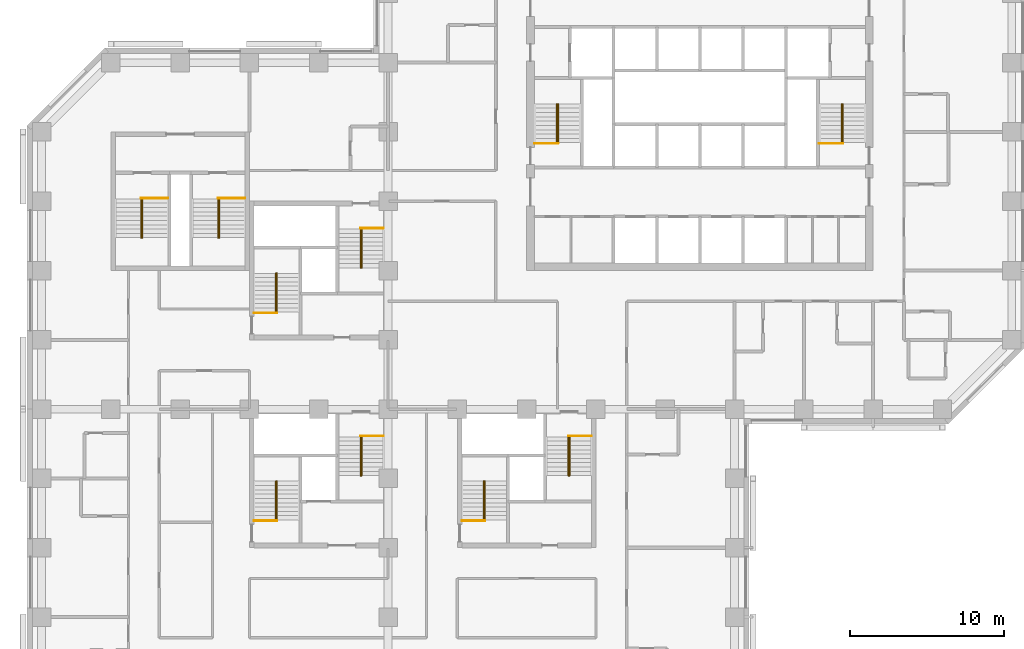
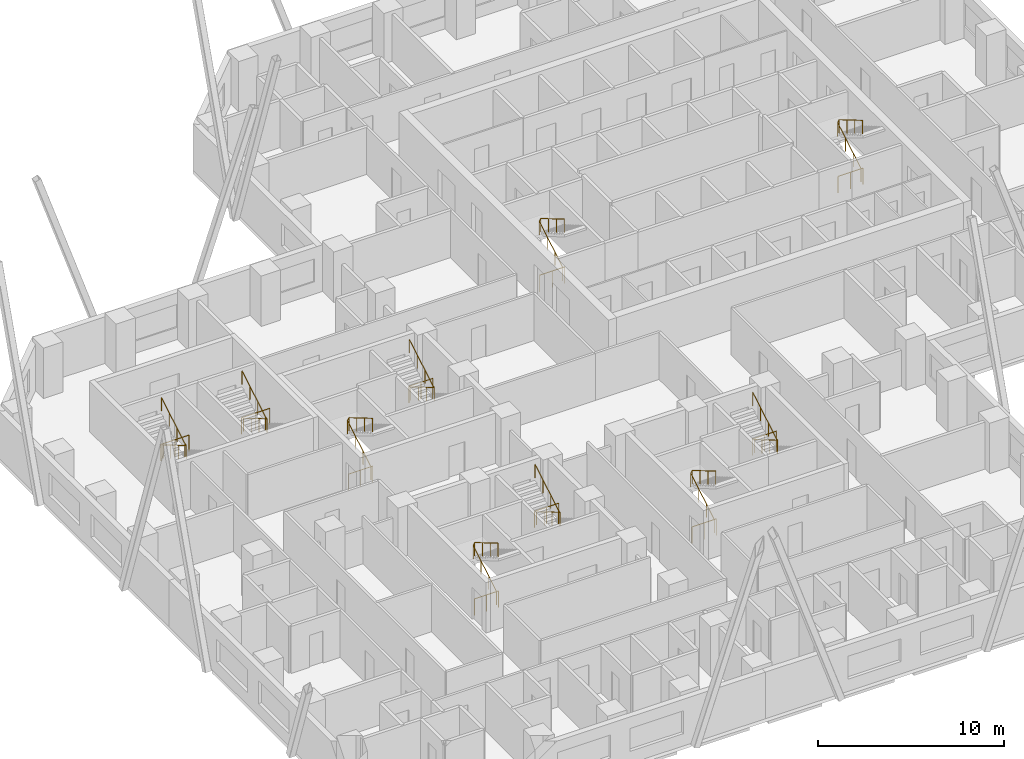
# One storey, part 13 of 13: 20 railings.
"""IFC4 building model written with IfcOpenShell, lengths in metres."""

from ifc_helpers import new_model, si_unit, direction, frame, origin, origin_2d, place, context, subcontext, project, spatial, circle, extrude, material, type_object, element, save


model = new_model("IFC4")

# Units and contexts
model_context = context("Model", 3, precision=1e-05, world=origin(), true_north=direction((0.0, 1.0)))
body_context = subcontext(model_context, "Body", "Model", "MODEL_VIEW")
ifc_project = project(units=[si_unit("LENGTHUNIT", "METRE"), si_unit("AREAUNIT", "SQUARE_METRE"), si_unit("VOLUMEUNIT", "CUBIC_METRE"), si_unit("PLANEANGLEUNIT", "RADIAN"), si_unit("MASSUNIT", "GRAM", prefix="KILO")], contexts=[model_context])

# Site, building, storey
site_placement = place(None, origin())
site = spatial("IfcSite", under=ifc_project, at=site_placement, CompositionType="ELEMENT")
building_placement = place(site_placement, origin())
building = spatial("IfcBuilding", under=site, at=building_placement, Name="Quoin Convention Tower", CompositionType="ELEMENT")
storey_placement = place(building_placement, frame((0.0, 0.0, 26.39990234375)))
storey = spatial("IfcBuildingStorey", under=building, at=storey_placement, Name="L05", CompositionType="ELEMENT", Elevation=26.39990234375)

# Railings
ifc_material = material(Name="Stainless steel", Category="steel")
railing_type_1 = type_object("IfcRailingType", Name="Stair handrail 900", PredefinedType="HANDRAIL", material=ifc_material)
for number, where, name in (
    (1, (46.955078125, 57.800048828125, 0.1650390625), "SD1 handrail 1"),
    (2, (65.455078125, 57.800048828125, 0.1650390625), "SD2 handrail 1"),
    (3, (28.705078125, 46.800048828125, 0.1650390625), "SD3 handrail 1"),
):
    element("IfcRailing", number, at=place(storey_placement, frame(where)), inside=storey, type_object=railing_type_1, Name=name, PredefinedType="HANDRAIL", context=body_context, shape_type="SweptSolid", body=[
        extrude(circle(Radius=0.02392578125, at=origin_2d()), frame((0.0, 0.0, 0.8759765625), z_axis=(0.0, 0.86152411907, 0.507716645641), x_axis=(-1.0, 0.0, 0.0)), (0.0, 0.0, 1.0), 2.925048828125),
        extrude(circle(Radius=0.02392578125, at=origin_2d()), frame((0.0, 2.52001953125, 2.36083984375), z_axis=(0.478123724308, 0.0, 0.878292493566), x_axis=(0.0, 1.0, 0.0)), (0.0, 0.0, 1.0), 0.18798828125),
        extrude(circle(Radius=0.02392578125, at=origin_2d()), frame((0.08984375, 2.52001953125, 2.52587890625), z_axis=(0.0, -0.861560626758, 0.507654692109), x_axis=(1.0, 0.0, 0.0)), (0.0, 0.0, 1.0), 2.925048828125),
        extrude(circle(Radius=0.02099609375, at=origin_2d()), origin(), (0.0, 0.0, 1.0), 0.851806640625),
        extrude(circle(Radius=0.02099609375, at=origin_2d()), frame((0.0, 0.840087890625, 0.4951171875)), (0.0, 0.0, 1.0), 0.851806640625),
        extrude(circle(Radius=0.02099609375, at=origin_2d()), frame((0.0, 1.679931640625, 0.989990234375)), (0.0, 0.0, 1.0), 0.851806640625),
        extrude(circle(Radius=0.02099609375, at=origin_2d()), frame((0.0, 2.52001953125, 1.485107421875)), (0.0, 0.0, 1.0), 0.851806640625),
        extrude(circle(Radius=0.02099609375, at=origin_2d()), frame((0.08984375, 2.52001953125, 1.650146484375)), (0.0, 0.0, 1.0), 0.851806640625),
        extrude(circle(Radius=0.02099609375, at=origin_2d()), frame((0.08984375, 1.679931640625, 2.14501953125)), (0.0, 0.0, 1.0), 0.851806640625),
        extrude(circle(Radius=0.02099609375, at=origin_2d()), frame((0.08984375, 0.840087890625, 2.64013671875)), (0.0, 0.0, 1.0), 0.851806640625),
        extrude(circle(Radius=0.02099609375, at=origin_2d()), frame((0.08984375, 0.0, 3.135009765625)), (0.0, 0.0, 1.0), 0.851806640625),
    ])
railing_1_placement = place(storey_placement, frame((34.294921875, 52.199951171875, 0.1650390625)))
element("IfcRailing", 4, at=railing_1_placement, inside=storey, type_object=railing_type_1, Name="SD4 handrail 1", PredefinedType="HANDRAIL", context=body_context, shape_type="SweptSolid", body=[
    extrude(circle(Radius=0.02392578125, at=origin_2d()), frame((0.0, 0.0, 0.8759765625), z_axis=(0.0, -0.86152411907, 0.507716645641), x_axis=(1.0, 0.0, 0.0)), (0.0, 0.0, 1.0), 2.925048828125),
    extrude(circle(Radius=0.02392578125, at=origin_2d()), frame((0.0, -2.52001953125, 2.36083984375), z_axis=(-0.478123724308, 0.0, 0.878292493566), x_axis=(0.0, -1.0, 0.0)), (0.0, 0.0, 1.0), 0.18798828125),
    extrude(circle(Radius=0.02392578125, at=origin_2d()), frame((-0.08984375, -2.52001953125, 2.52587890625), z_axis=(0.0, 0.861560626758, 0.507654692109), x_axis=(-1.0, 0.0, 0.0)), (0.0, 0.0, 1.0), 2.925048828125),
    extrude(circle(Radius=0.02099609375, at=origin_2d()), origin(), (0.0, 0.0, 1.0), 0.851806640625),
    extrude(circle(Radius=0.02099609375, at=origin_2d()), frame((0.0, -0.840087890625, 0.4951171875)), (0.0, 0.0, 1.0), 0.851806640625),
    extrude(circle(Radius=0.02099609375, at=origin_2d()), frame((0.0, -1.679931640625, 0.989990234375)), (0.0, 0.0, 1.0), 0.851806640625),
    extrude(circle(Radius=0.02099609375, at=origin_2d()), frame((0.0, -2.52001953125, 1.485107421875)), (0.0, 0.0, 1.0), 0.851806640625),
    extrude(circle(Radius=0.02099609375, at=origin_2d()), frame((-0.08984375, -2.52001953125, 1.650146484375)), (0.0, 0.0, 1.0), 0.851806640625),
    extrude(circle(Radius=0.02099609375, at=origin_2d()), frame((-0.08984375, -1.679931640625, 2.14501953125)), (0.0, 0.0, 1.0), 0.851806640625),
    extrude(circle(Radius=0.02099609375, at=origin_2d()), frame((-0.08984375, -0.840087890625, 2.64013671875)), (0.0, 0.0, 1.0), 0.851806640625),
    extrude(circle(Radius=0.02099609375, at=origin_2d()), frame((-0.08984375, 0.0, 3.135009765625)), (0.0, 0.0, 1.0), 0.851806640625),
])
railing_2_placement = place(storey_placement, frame((42.205078125, 33.300048828125, 0.1650390625)))
element("IfcRailing", 5, at=railing_2_placement, inside=storey, type_object=railing_type_1, Name="SD5 handrail 1", PredefinedType="HANDRAIL", context=body_context, shape_type="SweptSolid", body=[
    extrude(circle(Radius=0.02392578125, at=origin_2d()), frame((0.0, 0.0, 0.8759765625), z_axis=(0.0, 0.86152411907, 0.507716645641), x_axis=(-1.0, 0.0, 0.0)), (0.0, 0.0, 1.0), 2.925048828125),
    extrude(circle(Radius=0.02392578125, at=origin_2d()), frame((0.0, 2.52001953125, 2.36083984375), z_axis=(0.478123724308, 0.0, 0.878292493566), x_axis=(0.0, 1.0, 0.0)), (0.0, 0.0, 1.0), 0.18798828125),
    extrude(circle(Radius=0.02392578125, at=origin_2d()), frame((0.08984375, 2.52001953125, 2.52587890625), z_axis=(0.0, -0.861560626758, 0.507654692109), x_axis=(1.0, 0.0, 0.0)), (0.0, 0.0, 1.0), 2.925048828125),
    extrude(circle(Radius=0.02099609375, at=origin_2d()), origin(), (0.0, 0.0, 1.0), 0.851806640625),
    extrude(circle(Radius=0.02099609375, at=origin_2d()), frame((0.0, 0.840087890625, 0.4951171875)), (0.0, 0.0, 1.0), 0.851806640625),
    extrude(circle(Radius=0.02099609375, at=origin_2d()), frame((0.0, 1.679931640625, 0.989990234375)), (0.0, 0.0, 1.0), 0.851806640625),
    extrude(circle(Radius=0.02099609375, at=origin_2d()), frame((0.0, 2.52001953125, 1.485107421875)), (0.0, 0.0, 1.0), 0.851806640625),
    extrude(circle(Radius=0.02099609375, at=origin_2d()), frame((0.08984375, 2.52001953125, 1.650146484375)), (0.0, 0.0, 1.0), 0.851806640625),
    extrude(circle(Radius=0.02099609375, at=origin_2d()), frame((0.08984375, 1.679931640625, 2.14501953125)), (0.0, 0.0, 1.0), 0.851806640625),
    extrude(circle(Radius=0.02099609375, at=origin_2d()), frame((0.08984375, 0.840087890625, 2.64013671875)), (0.0, 0.0, 1.0), 0.851806640625),
    extrude(circle(Radius=0.02099609375, at=origin_2d()), frame((0.08984375, 0.0, 3.135009765625)), (0.0, 0.0, 1.0), 0.851806640625),
])
railing_3_placement = place(storey_placement, frame((47.794921875, 38.699951171875, 0.1650390625)))
element("IfcRailing", 6, at=railing_3_placement, inside=storey, type_object=railing_type_1, Name="SD6 handrail 1", PredefinedType="HANDRAIL", context=body_context, shape_type="SweptSolid", body=[
    extrude(circle(Radius=0.02392578125, at=origin_2d()), frame((0.0, 0.0, 0.8759765625), z_axis=(0.0, -0.86152411907, 0.507716645641), x_axis=(1.0, 0.0, 0.0)), (0.0, 0.0, 1.0), 2.925048828125),
    extrude(circle(Radius=0.02392578125, at=origin_2d()), frame((0.0, -2.52001953125, 2.36083984375), z_axis=(-0.478123724308, 0.0, 0.878292493566), x_axis=(0.0, -1.0, 0.0)), (0.0, 0.0, 1.0), 0.18798828125),
    extrude(circle(Radius=0.02392578125, at=origin_2d()), frame((-0.08984375, -2.52001953125, 2.52587890625), z_axis=(0.0, 0.861560626758, 0.507654692109), x_axis=(-1.0, 0.0, 0.0)), (0.0, 0.0, 1.0), 2.925048828125),
    extrude(circle(Radius=0.02099609375, at=origin_2d()), origin(), (0.0, 0.0, 1.0), 0.851806640625),
    extrude(circle(Radius=0.02099609375, at=origin_2d()), frame((0.0, -0.840087890625, 0.4951171875)), (0.0, 0.0, 1.0), 0.851806640625),
    extrude(circle(Radius=0.02099609375, at=origin_2d()), frame((0.0, -1.679931640625, 0.989990234375)), (0.0, 0.0, 1.0), 0.851806640625),
    extrude(circle(Radius=0.02099609375, at=origin_2d()), frame((0.0, -2.52001953125, 1.485107421875)), (0.0, 0.0, 1.0), 0.851806640625),
    extrude(circle(Radius=0.02099609375, at=origin_2d()), frame((-0.08984375, -2.52001953125, 1.650146484375)), (0.0, 0.0, 1.0), 0.851806640625),
    extrude(circle(Radius=0.02099609375, at=origin_2d()), frame((-0.08984375, -1.679931640625, 2.14501953125)), (0.0, 0.0, 1.0), 0.851806640625),
    extrude(circle(Radius=0.02099609375, at=origin_2d()), frame((-0.08984375, -0.840087890625, 2.64013671875)), (0.0, 0.0, 1.0), 0.851806640625),
    extrude(circle(Radius=0.02099609375, at=origin_2d()), frame((-0.08984375, 0.0, 3.135009765625)), (0.0, 0.0, 1.0), 0.851806640625),
])
railing_4_placement = place(storey_placement, frame((28.705078125, 33.300048828125, 0.1650390625)))
element("IfcRailing", 7, at=railing_4_placement, inside=storey, type_object=railing_type_1, Name="SD7 handrail 1", PredefinedType="HANDRAIL", context=body_context, shape_type="SweptSolid", body=[
    extrude(circle(Radius=0.02392578125, at=origin_2d()), frame((0.0, 0.0, 0.8759765625), z_axis=(0.0, 0.86152411907, 0.507716645641), x_axis=(-1.0, 0.0, 0.0)), (0.0, 0.0, 1.0), 2.925048828125),
    extrude(circle(Radius=0.02392578125, at=origin_2d()), frame((0.0, 2.52001953125, 2.36083984375), z_axis=(0.478123724308, 0.0, 0.878292493566), x_axis=(0.0, 1.0, 0.0)), (0.0, 0.0, 1.0), 0.18798828125),
    extrude(circle(Radius=0.02392578125, at=origin_2d()), frame((0.08984375, 2.52001953125, 2.52587890625), z_axis=(0.0, -0.861560626758, 0.507654692109), x_axis=(1.0, 0.0, 0.0)), (0.0, 0.0, 1.0), 2.925048828125),
    extrude(circle(Radius=0.02099609375, at=origin_2d()), origin(), (0.0, 0.0, 1.0), 0.851806640625),
    extrude(circle(Radius=0.02099609375, at=origin_2d()), frame((0.0, 0.840087890625, 0.4951171875)), (0.0, 0.0, 1.0), 0.851806640625),
    extrude(circle(Radius=0.02099609375, at=origin_2d()), frame((0.0, 1.679931640625, 0.989990234375)), (0.0, 0.0, 1.0), 0.851806640625),
    extrude(circle(Radius=0.02099609375, at=origin_2d()), frame((0.0, 2.52001953125, 1.485107421875)), (0.0, 0.0, 1.0), 0.851806640625),
    extrude(circle(Radius=0.02099609375, at=origin_2d()), frame((0.08984375, 2.52001953125, 1.650146484375)), (0.0, 0.0, 1.0), 0.851806640625),
    extrude(circle(Radius=0.02099609375, at=origin_2d()), frame((0.08984375, 1.679931640625, 2.14501953125)), (0.0, 0.0, 1.0), 0.851806640625),
    extrude(circle(Radius=0.02099609375, at=origin_2d()), frame((0.08984375, 0.840087890625, 2.64013671875)), (0.0, 0.0, 1.0), 0.851806640625),
    extrude(circle(Radius=0.02099609375, at=origin_2d()), frame((0.08984375, 0.0, 3.135009765625)), (0.0, 0.0, 1.0), 0.851806640625),
])
for number, where, name in (
    (8, (34.294921875, 38.699951171875, 0.1650390625), "SD8 handrail 1"),
    (9, (20.044921875, 54.14990234375, 0.1650390625), "SD11 handrail 1"),
    (10, (25.044921875, 54.14990234375, 0.1650390625), "SD12 handrail 1"),
):
    element("IfcRailing", number, at=place(storey_placement, frame(where)), inside=storey, type_object=railing_type_1, Name=name, PredefinedType="HANDRAIL", context=body_context, shape_type="SweptSolid", body=[
        extrude(circle(Radius=0.02392578125, at=origin_2d()), frame((0.0, 0.0, 0.8759765625), z_axis=(0.0, -0.86152411907, 0.507716645641), x_axis=(1.0, 0.0, 0.0)), (0.0, 0.0, 1.0), 2.925048828125),
        extrude(circle(Radius=0.02392578125, at=origin_2d()), frame((0.0, -2.52001953125, 2.36083984375), z_axis=(-0.478123724308, 0.0, 0.878292493566), x_axis=(0.0, -1.0, 0.0)), (0.0, 0.0, 1.0), 0.18798828125),
        extrude(circle(Radius=0.02392578125, at=origin_2d()), frame((-0.08984375, -2.52001953125, 2.52587890625), z_axis=(0.0, 0.861560626758, 0.507654692109), x_axis=(-1.0, 0.0, 0.0)), (0.0, 0.0, 1.0), 2.925048828125),
        extrude(circle(Radius=0.02099609375, at=origin_2d()), origin(), (0.0, 0.0, 1.0), 0.851806640625),
        extrude(circle(Radius=0.02099609375, at=origin_2d()), frame((0.0, -0.840087890625, 0.4951171875)), (0.0, 0.0, 1.0), 0.851806640625),
        extrude(circle(Radius=0.02099609375, at=origin_2d()), frame((0.0, -1.679931640625, 0.989990234375)), (0.0, 0.0, 1.0), 0.851806640625),
        extrude(circle(Radius=0.02099609375, at=origin_2d()), frame((0.0, -2.52001953125, 1.485107421875)), (0.0, 0.0, 1.0), 0.851806640625),
        extrude(circle(Radius=0.02099609375, at=origin_2d()), frame((-0.08984375, -2.52001953125, 1.650146484375)), (0.0, 0.0, 1.0), 0.851806640625),
        extrude(circle(Radius=0.02099609375, at=origin_2d()), frame((-0.08984375, -1.679931640625, 2.14501953125)), (0.0, 0.0, 1.0), 0.851806640625),
        extrude(circle(Radius=0.02099609375, at=origin_2d()), frame((-0.08984375, -0.840087890625, 2.64013671875)), (0.0, 0.0, 1.0), 0.851806640625),
        extrude(circle(Radius=0.02099609375, at=origin_2d()), frame((-0.08984375, 0.0, 3.135009765625)), (0.0, 0.0, 1.0), 0.851806640625),
    ])
railing_type_2 = type_object("IfcRailingType", Name="Stair top guard 1100", PredefinedType="GUARDRAIL", material=ifc_material)
for number, where, name in (
    (11, (45.5, 57.75, 0.0), "SD1 top guard"),
    (12, (64.0, 57.75, 0.0), "SD2 top guard"),
):
    element("IfcRailing", number, at=place(storey_placement, frame(where)), inside=storey, type_object=railing_type_2, Name=name, PredefinedType="GUARDRAIL", context=body_context, shape_type="SweptSolid", body=[
        extrude(circle(Radius=0.02392578125, at=origin_2d()), frame((0.0, 0.0, 1.076171875), z_axis=(1.0, 0.0, 0.0), x_axis=(0.0, 1.0, 0.0)), (0.0, 0.0, 1.0), 1.544921875),
        extrude(circle(Radius=0.02099609375, at=origin_2d()), origin(), (0.0, 0.0, 1.0), 1.052001953125),
        extrude(circle(Radius=0.02099609375, at=origin_2d()), frame((0.7724609375, 0.0, 0.0)), (0.0, 0.0, 1.0), 1.052001953125),
        extrude(circle(Radius=0.02099609375, at=origin_2d()), frame((1.544921875, 0.0, 0.0)), (0.0, 0.0, 1.0), 1.052001953125),
    ])
railing_5_placement = place(storey_placement, frame((27.300048828125, 46.75, 0.0)))
element("IfcRailing", 13, at=railing_5_placement, inside=storey, type_object=railing_type_2, Name="SD3 top guard", PredefinedType="GUARDRAIL", context=body_context, shape_type="SweptSolid", body=[
    extrude(circle(Radius=0.02392578125, at=origin_2d()), frame((0.0, 0.0, 1.076171875), z_axis=(1.0, 0.0, 0.0), x_axis=(0.0, 1.0, 0.0)), (0.0, 0.0, 1.0), 1.494873046875),
    extrude(circle(Radius=0.02099609375, at=origin_2d()), origin(), (0.0, 0.0, 1.0), 1.052001953125),
    extrude(circle(Radius=0.02099609375, at=origin_2d()), frame((0.74755859375, 0.0, 0.0)), (0.0, 0.0, 1.0), 1.052001953125),
    extrude(circle(Radius=0.02099609375, at=origin_2d()), frame((1.494873046875, 0.0, 0.0)), (0.0, 0.0, 1.0), 1.052001953125),
])
railing_6_placement = place(storey_placement, frame((35.699951171875, 52.25, 0.0)))
element("IfcRailing", 14, at=railing_6_placement, inside=storey, type_object=railing_type_2, Name="SD4 top guard", PredefinedType="GUARDRAIL", context=body_context, shape_type="SweptSolid", body=[
    extrude(circle(Radius=0.02392578125, at=origin_2d()), frame((0.0, 0.0, 1.076171875), z_axis=(-1.0, 0.0, 0.0), x_axis=(0.0, -1.0, 0.0)), (0.0, 0.0, 1.0), 1.494873046875),
    extrude(circle(Radius=0.02099609375, at=origin_2d()), origin(), (0.0, 0.0, 1.0), 1.052001953125),
    extrude(circle(Radius=0.02099609375, at=origin_2d()), frame((-0.74755859375, 0.0, 0.0)), (0.0, 0.0, 1.0), 1.052001953125),
    extrude(circle(Radius=0.02099609375, at=origin_2d()), frame((-1.494873046875, 0.0, 0.0)), (0.0, 0.0, 1.0), 1.052001953125),
])
railing_7_placement = place(storey_placement, frame((40.800048828125, 33.25, 0.0)))
element("IfcRailing", 15, at=railing_7_placement, inside=storey, type_object=railing_type_2, Name="SD5 top guard", PredefinedType="GUARDRAIL", context=body_context, shape_type="SweptSolid", body=[
    extrude(circle(Radius=0.02392578125, at=origin_2d()), frame((0.0, 0.0, 1.076171875), z_axis=(1.0, 0.0, 0.0), x_axis=(0.0, 1.0, 0.0)), (0.0, 0.0, 1.0), 1.494873046875),
    extrude(circle(Radius=0.02099609375, at=origin_2d()), origin(), (0.0, 0.0, 1.0), 1.052001953125),
    extrude(circle(Radius=0.02099609375, at=origin_2d()), frame((0.74755859375, 0.0, 0.0)), (0.0, 0.0, 1.0), 1.052001953125),
    extrude(circle(Radius=0.02099609375, at=origin_2d()), frame((1.494873046875, 0.0, 0.0)), (0.0, 0.0, 1.0), 1.052001953125),
])
railing_8_placement = place(storey_placement, frame((49.199951171875, 38.75, 0.0)))
element("IfcRailing", 16, at=railing_8_placement, inside=storey, type_object=railing_type_2, Name="SD6 top guard", PredefinedType="GUARDRAIL", context=body_context, shape_type="SweptSolid", body=[
    extrude(circle(Radius=0.02392578125, at=origin_2d()), frame((0.0, 0.0, 1.076171875), z_axis=(-1.0, 0.0, 0.0), x_axis=(0.0, -1.0, 0.0)), (0.0, 0.0, 1.0), 1.494873046875),
    extrude(circle(Radius=0.02099609375, at=origin_2d()), origin(), (0.0, 0.0, 1.0), 1.052001953125),
    extrude(circle(Radius=0.02099609375, at=origin_2d()), frame((-0.74755859375, 0.0, 0.0)), (0.0, 0.0, 1.0), 1.052001953125),
    extrude(circle(Radius=0.02099609375, at=origin_2d()), frame((-1.494873046875, 0.0, 0.0)), (0.0, 0.0, 1.0), 1.052001953125),
])
railing_9_placement = place(storey_placement, frame((27.300048828125, 33.25, 0.0)))
element("IfcRailing", 17, at=railing_9_placement, inside=storey, type_object=railing_type_2, Name="SD7 top guard", PredefinedType="GUARDRAIL", context=body_context, shape_type="SweptSolid", body=[
    extrude(circle(Radius=0.02392578125, at=origin_2d()), frame((0.0, 0.0, 1.076171875), z_axis=(1.0, 0.0, 0.0), x_axis=(0.0, 1.0, 0.0)), (0.0, 0.0, 1.0), 1.494873046875),
    extrude(circle(Radius=0.02099609375, at=origin_2d()), origin(), (0.0, 0.0, 1.0), 1.052001953125),
    extrude(circle(Radius=0.02099609375, at=origin_2d()), frame((0.74755859375, 0.0, 0.0)), (0.0, 0.0, 1.0), 1.052001953125),
    extrude(circle(Radius=0.02099609375, at=origin_2d()), frame((1.494873046875, 0.0, 0.0)), (0.0, 0.0, 1.0), 1.052001953125),
])
railing_10_placement = place(storey_placement, frame((35.699951171875, 38.75, 0.0)))
element("IfcRailing", 18, at=railing_10_placement, inside=storey, type_object=railing_type_2, Name="SD8 top guard", PredefinedType="GUARDRAIL", context=body_context, shape_type="SweptSolid", body=[
    extrude(circle(Radius=0.02392578125, at=origin_2d()), frame((0.0, 0.0, 1.076171875), z_axis=(-1.0, 0.0, 0.0), x_axis=(0.0, -1.0, 0.0)), (0.0, 0.0, 1.0), 1.494873046875),
    extrude(circle(Radius=0.02099609375, at=origin_2d()), origin(), (0.0, 0.0, 1.0), 1.052001953125),
    extrude(circle(Radius=0.02099609375, at=origin_2d()), frame((-0.74755859375, 0.0, 0.0)), (0.0, 0.0, 1.0), 1.052001953125),
    extrude(circle(Radius=0.02099609375, at=origin_2d()), frame((-1.494873046875, 0.0, 0.0)), (0.0, 0.0, 1.0), 1.052001953125),
])
for number, where, name in (
    (19, (21.699951171875, 54.199951171875, 0.0), "SD11 top guard"),
    (20, (26.699951171875, 54.199951171875, 0.0), "SD12 top guard"),
):
    element("IfcRailing", number, at=place(storey_placement, frame(where)), inside=storey, type_object=railing_type_2, Name=name, PredefinedType="GUARDRAIL", context=body_context, shape_type="SweptSolid", body=[
        extrude(circle(Radius=0.02392578125, at=origin_2d()), frame((0.0, 0.0, 1.076171875), z_axis=(-1.0, 0.0, 0.0), x_axis=(0.0, -1.0, 0.0)), (0.0, 0.0, 1.0), 1.744873046875),
        extrude(circle(Radius=0.02099609375, at=origin_2d()), origin(), (0.0, 0.0, 1.0), 1.052001953125),
        extrude(circle(Radius=0.02099609375, at=origin_2d()), frame((-0.87255859375, 0.0, 0.0)), (0.0, 0.0, 1.0), 1.052001953125),
        extrude(circle(Radius=0.02099609375, at=origin_2d()), frame((-1.744873046875, 0.0, 0.0)), (0.0, 0.0, 1.0), 1.052001953125),
    ])

save(model, "model.ifc")
